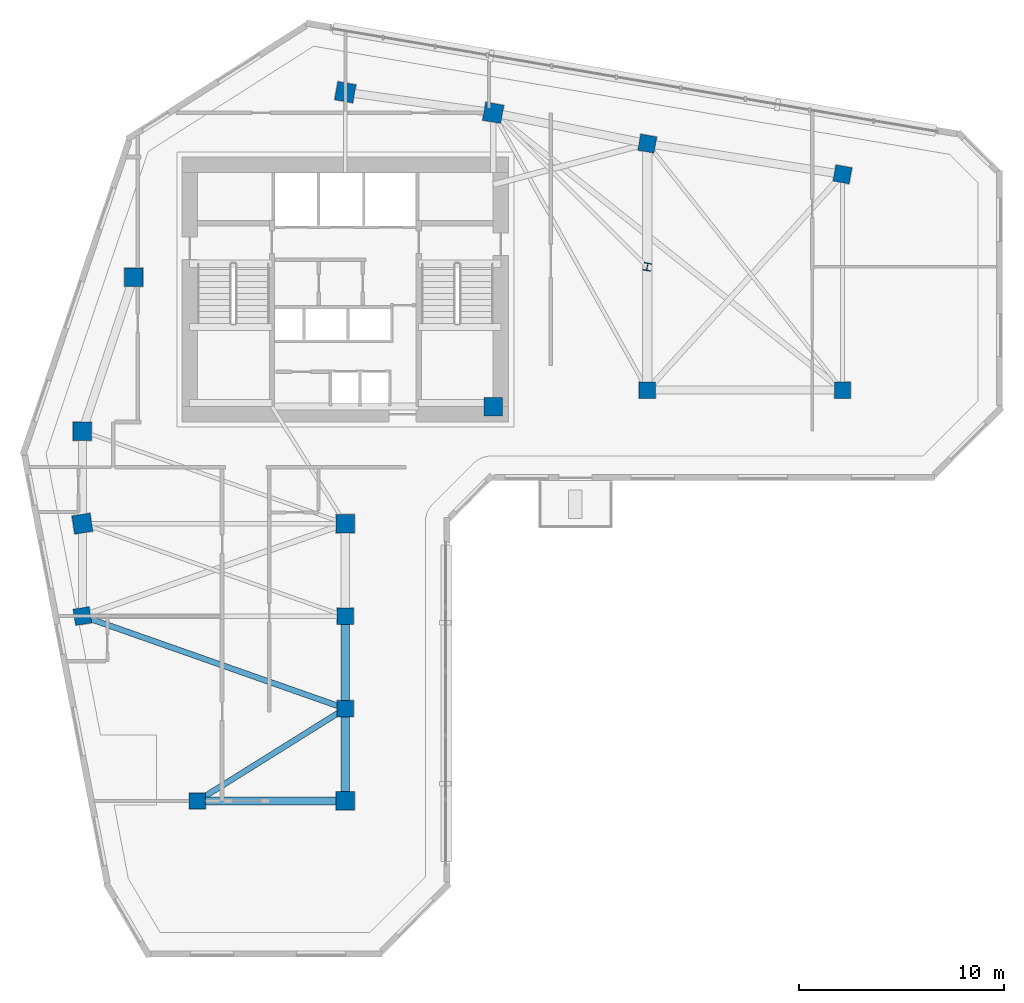
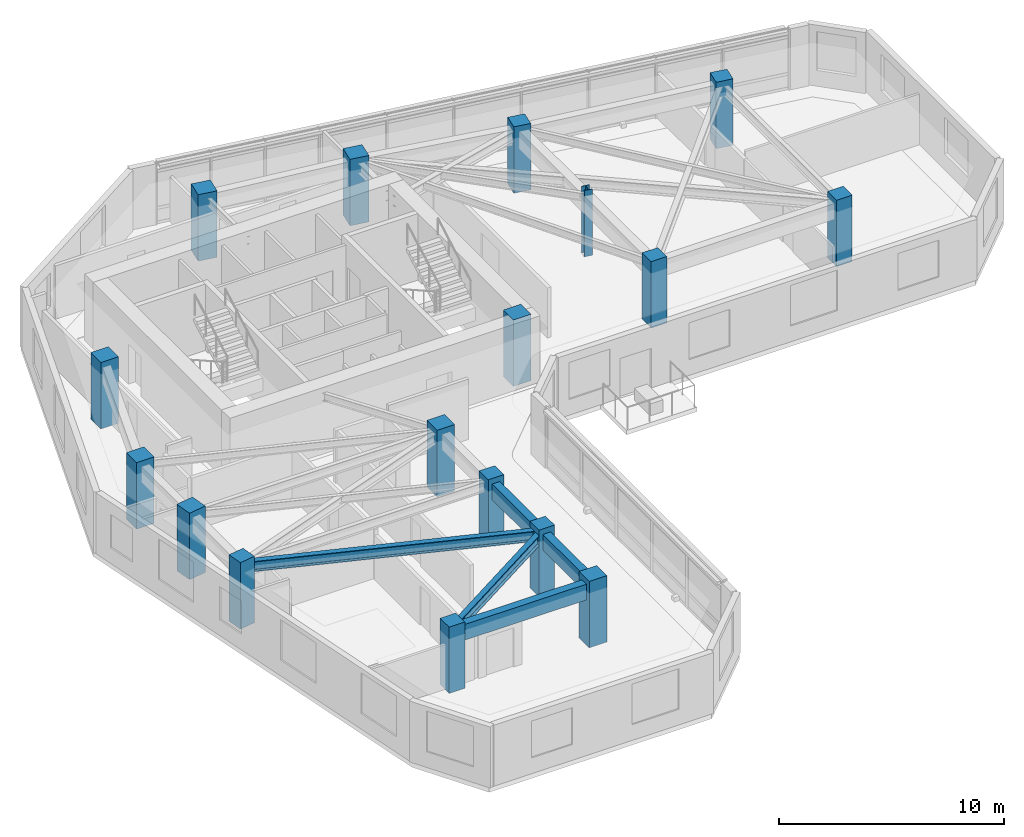
# One storey, part 1 of 12: 17 columns, 5 beams.
"""IFC4 building model written with IfcOpenShell, lengths in metres."""

from ifc_helpers import new_model, si_unit, direction, frame, origin, origin_2d, place, context, subcontext, project, spatial, rectangle, i_section, extrude, source, transform, mapped, material, material_profile, profile_set, type_object, element, save


model = new_model("IFC4")

# Units and contexts
model_context = context("Model", 3, precision=1e-05, world=origin(), true_north=direction((0.0, 1.0)))
body_context = subcontext(model_context, "Body", "Model", "MODEL_VIEW")
ifc_project = project(units=[si_unit("LENGTHUNIT", "METRE"), si_unit("AREAUNIT", "SQUARE_METRE"), si_unit("VOLUMEUNIT", "CUBIC_METRE"), si_unit("PLANEANGLEUNIT", "RADIAN"), si_unit("MASSUNIT", "GRAM", prefix="KILO")], contexts=[model_context])

# Site, building, storey
site_placement = place(None, origin())
site = spatial("IfcSite", under=ifc_project, at=site_placement, CompositionType="ELEMENT")
building_placement = place(site_placement, origin())
building = spatial("IfcBuilding", under=site, at=building_placement, Name="Calvemar Wedge Station Tower", CompositionType="ELEMENT")
storey_placement = place(building_placement, frame((0.0, 0.0, 135.800048828125)))
storey = spatial("IfcBuildingStorey", under=building, at=storey_placement, Name="L33", CompositionType="ELEMENT", Elevation=135.800048828125)

# Columns
ifc_material_1 = material(Name="Concrete C60", Category="concrete")
ifc_material_profile_1 = material_profile(ifc_material_1, rectangle(XDim=0.89990234375, YDim=0.89990234375, at=origin_2d()), Name="RC900x900")
ifc_profile_set_1 = profile_set([ifc_material_profile_1], Name="Concrete C60")
column_type_1 = type_object("IfcColumnType", Name="COL-C5-900", PredefinedType="COLUMN", material=ifc_profile_set_1)
shared_shape_1 = source(origin(), body_context, "Body", "SweptSolid", [
    extrude(rectangle(XDim=0.89990234375, YDim=0.89990234375, at=origin_2d()), origin(), (0.0, 0.0, 1.0), 3.599853515625),
])
for number, where, z_axis, x_axis, name in (
    (1, (11.0, 33.0, 0.0), (0.0, 0.0, 1.0), (1.0, 0.0, 0.0), "Storey L33 Column T-NW1"),
    (2, (13.5, 40.5, 0.0), (0.0, 0.0, 1.0), (1.0, 0.0, 0.0), "Storey L33 Column T-NW2"),
    (3, (23.800048828125, 49.5, 0.0), (0.0, 0.0, 1.0), (0.984195607969, -0.17708474032, 0.0), "Storey L33 Column T-N1"),
    (4, (31.0, 48.5, 0.0), (0.0, 0.0, 1.0), (0.984195607969, -0.17708474032, 0.0), "Storey L33 Column T-N2"),
    (5, (31.0, 34.199951171875, 0.0), (0.0, 0.0, 1.0), (1.0, 0.0, 0.0), "Storey L33 Column T-NL1"),
    (6, (11.0, 28.5, 0.0), (0.0, 0.0, 1.0), (0.158158067254, -0.987413806751, 0.0), "Storey L33 Column T-SW1"),
    (7, (23.800048828125, 28.5, 0.0), (0.0, 0.0, 1.0), (1.0, 0.0, 0.0), "Storey L33 Column T-SE1"),
    (8, (23.800048828125, 15.0, 0.0), (0.0, 0.0, 1.0), (1.0, 0.0, 0.0), "Storey L33 Column T-SE4"),
):
    element("IfcColumn", number, at=place(storey_placement, frame(where, z_axis=z_axis, x_axis=x_axis)), inside=storey, type_object=column_type_1, Name=name, PredefinedType="COLUMN", context=body_context, shape_type="MappedRepresentation", body=[
        mapped(shared_shape_1, transform((0.0, 0.0, 0.0), scale=1.0)),
    ])
ifc_material_2 = material(Name="Concrete C50", Category="concrete")
ifc_material_profile_2 = material_profile(ifc_material_2, rectangle(XDim=0.800048828125, YDim=0.800048828125, at=origin_2d()), Name="RC800x800")
ifc_profile_set_2 = profile_set([ifc_material_profile_2], Name="Concrete C50")
column_type_2 = type_object("IfcColumnType", Name="COL-C6-800", PredefinedType="COLUMN", material=ifc_profile_set_2)
shared_shape_2 = source(origin(), body_context, "Body", "SweptSolid", [
    extrude(rectangle(XDim=0.800048828125, YDim=0.800048828125, at=origin_2d()), origin(), (0.0, 0.0, 1.0), 3.599853515625),
])
for number, where, z_axis, x_axis, name in (
    (9, (38.5, 47.0, 0.0), (0.0, 0.0, 1.0), (0.984195607969, -0.17708474032, 0.0), "Storey L33 Column T-NU3"),
    (10, (48.0, 45.5, 0.0), (0.0, 0.0, 1.0), (0.984195607969, -0.17708474032, 0.0), "Storey L33 Column T-NU4"),
    (11, (38.5, 35.0, 0.0), (0.0, 0.0, 1.0), (1.0, 0.0, 0.0), "Storey L33 Column T-NL2"),
    (12, (48.0, 35.0, 0.0), (0.0, 0.0, 1.0), (1.0, 0.0, 0.0), "Storey L33 Column T-NL3"),
    (13, (11.0, 24.0, 0.0), (0.0, 0.0, 1.0), (0.158158067254, -0.987413806751, 0.0), "Storey L33 Column T-SW2"),
    (14, (23.800048828125, 24.0, 0.0), (0.0, 0.0, 1.0), (1.0, 0.0, 0.0), "Storey L33 Column T-SE2"),
    (15, (23.800048828125, 19.5, 0.0), (0.0, 0.0, 1.0), (1.0, 0.0, 0.0), "Storey L33 Column T-SE3"),
    (16, (16.60009765625, 15.0, 0.0), (0.0, 0.0, 1.0), (1.0, 0.0, 0.0), "Storey L33 Column T-SM1"),
):
    element("IfcColumn", number, at=place(storey_placement, frame(where, z_axis=z_axis, x_axis=x_axis)), inside=storey, type_object=column_type_2, Name=name, PredefinedType="COLUMN", context=body_context, shape_type="MappedRepresentation", body=[
        mapped(shared_shape_2, transform((0.0, 0.0, 0.0), scale=1.0)),
    ])
ifc_material_3 = material(Name="Structural steel ASTM A572 Grade 50", Category="steel")
ifc_material_profile_3 = material_profile(ifc_material_3, i_section(OverallWidth=0.3740234375, OverallDepth=0.3720703125, WebThickness=0.016357421875, FlangeThickness=0.026123046875, FilletRadius=0.014892578125, at=origin_2d()), Name="W360x196")
ifc_profile_set_3 = profile_set([ifc_material_profile_3], Name="Structural steel ASTM A572 Grade 50")
column_type_3 = type_object("IfcColumnType", Name="COL-STL-W360", PredefinedType="COLUMN", material=ifc_profile_set_3)
shared_shape_3 = source(origin(), body_context, "Body", "SweptSolid", [
    extrude(i_section(OverallWidth=0.3740234375, OverallDepth=0.3720703125, WebThickness=0.016357421875, FlangeThickness=0.026123046875, FilletRadius=0.014892578125, at=origin_2d()), origin(), (0.0, 0.0, 1.0), 3.599853515625),
])
column_placement = place(storey_placement, frame((38.5, 41.0, 0.0), z_axis=(0.0, 0.0, 1.0), x_axis=(0.984195607969, -0.17708474032, 0.0)))
element("IfcColumn", 17, at=column_placement, inside=storey, type_object=column_type_3, Name="Storey L33 Column T-NTIP-B", PredefinedType="COLUMN", context=body_context, shape_type="MappedRepresentation", body=[
    mapped(shared_shape_3, transform((0.0, 0.0, 0.0), scale=1.0)),
])

# Beams
ifc_material_profile_4 = material_profile(ifc_material_1, rectangle(XDim=0.39990234375, YDim=0.85009765625, at=origin_2d()), Name="RC400x850")
ifc_profile_set_4 = profile_set([ifc_material_profile_4], Name="Concrete C60")
beam_type_1 = type_object("IfcBeamType", Name="BM-SP1-850", PredefinedType="SPANDREL", material=ifc_profile_set_4)
shared_shape_4 = source(origin(), body_context, "Body", "SweptSolid", [
    extrude(rectangle(XDim=0.39990234375, YDim=0.85009765625, at=origin_2d()), origin(), (0.0, 0.0, 1.0), 4.5),
])
for number, where, z_axis, x_axis, name in (
    (18, (23.800048828125, 24.0, 2.875), (0.0, -1.0, 0.0), (1.0, 0.0, 0.0), "Storey L33 Spandrel T-SE2-T-SE3"),
    (19, (23.800048828125, 19.5, 2.875), (0.0, -1.0, 0.0), (1.0, 0.0, 0.0), "Storey L33 Spandrel T-SE3-T-SE4"),
):
    element("IfcBeam", number, at=place(storey_placement, frame(where, z_axis=z_axis, x_axis=x_axis)), inside=storey, type_object=beam_type_1, Name=name, PredefinedType="SPANDREL", context=body_context, shape_type="MappedRepresentation", body=[
        mapped(shared_shape_4, transform((0.0, 0.0, 0.0), scale=1.0)),
    ])
shared_shape_5 = source(origin(), body_context, "Body", "SweptSolid", [
    extrude(rectangle(XDim=0.39990234375, YDim=0.85009765625, at=origin_2d()), origin(), (0.0, 0.0, 1.0), 7.199951171875),
])
beam_1_placement = place(storey_placement, frame((16.60009765625, 15.0, 2.875), z_axis=(1.0, 0.0, 0.0), x_axis=(0.0, 1.0, 0.0)))
element("IfcBeam", 20, at=beam_1_placement, inside=storey, type_object=beam_type_1, Name="Storey L33 Spandrel T-SM1-T-SE4", PredefinedType="SPANDREL", context=body_context, shape_type="MappedRepresentation", body=[
    mapped(shared_shape_5, transform((0.0, 0.0, 0.0), scale=1.0)),
])
ifc_material_profile_5 = material_profile(ifc_material_3, i_section(OverallWidth=0.279052734375, OverallDepth=0.553955078125, WebThickness=0.017578125, FlangeThickness=0.029541015625, FilletRadius=0.014892578125, at=origin_2d()), Name="W530x196")
ifc_profile_set_5 = profile_set([ifc_material_profile_5], Name="Structural steel ASTM A572 Grade 50")
beam_type_2 = type_object("IfcBeamType", Name="BM-SB3-W530H", PredefinedType="BEAM", material=ifc_profile_set_5)
shared_shape_6 = source(origin(), body_context, "Body", "SweptSolid", [
    extrude(i_section(OverallWidth=0.279052734375, OverallDepth=0.553955078125, WebThickness=0.017578125, FlangeThickness=0.029541015625, FilletRadius=0.014892578125, at=origin_2d()), origin(), (0.0, 0.0, 1.0), 13.568115234375),
])
beam_2_placement = place(storey_placement, frame((11.0, 24.0, 3.02294921875), z_axis=(0.943398221169, -0.331662171939, 0.0), x_axis=(0.331662171939, 0.943398221169, 0.0)))
element("IfcBeam", 21, at=beam_2_placement, inside=storey, type_object=beam_type_2, Name="Storey L33 Floor Beam T-SW2-T-SE3", PredefinedType="BEAM", context=body_context, shape_type="MappedRepresentation", body=[
    mapped(shared_shape_6, transform((0.0, 0.0, 0.0), scale=1.0)),
])
shared_shape_7 = source(origin(), body_context, "Body", "SweptSolid", [
    extrude(i_section(OverallWidth=0.279052734375, OverallDepth=0.553955078125, WebThickness=0.017578125, FlangeThickness=0.029541015625, FilletRadius=0.014892578125, at=origin_2d()), origin(), (0.0, 0.0, 1.0), 8.490478515625),
])
beam_3_placement = place(storey_placement, frame((23.800048828125, 19.5, 3.02294921875), z_axis=(-0.847996688584, -0.530001524668, 0.0), x_axis=(0.530001524668, -0.847996688584, 0.0)))
element("IfcBeam", 22, at=beam_3_placement, inside=storey, type_object=beam_type_2, Name="Storey L33 Floor Beam T-SE3-T-SM1", PredefinedType="BEAM", context=body_context, shape_type="MappedRepresentation", body=[
    mapped(shared_shape_7, transform((0.0, 0.0, 0.0), scale=1.0)),
])

save(model, "model.ifc")
